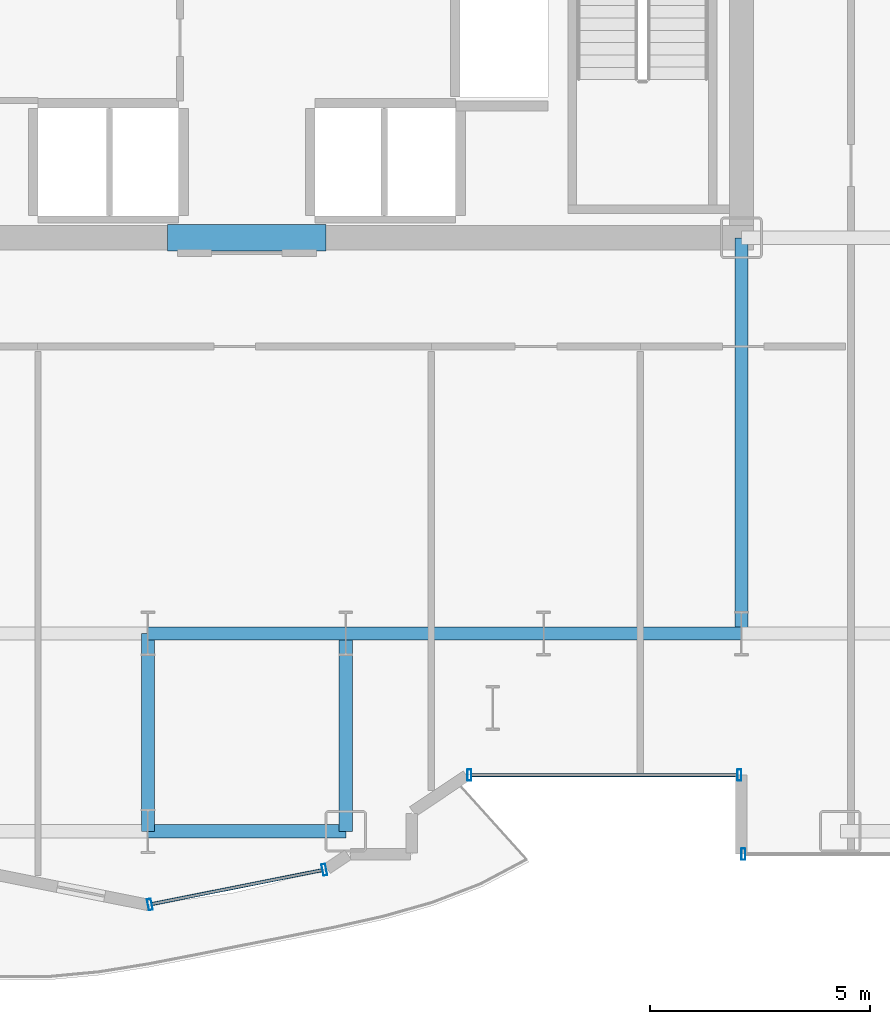
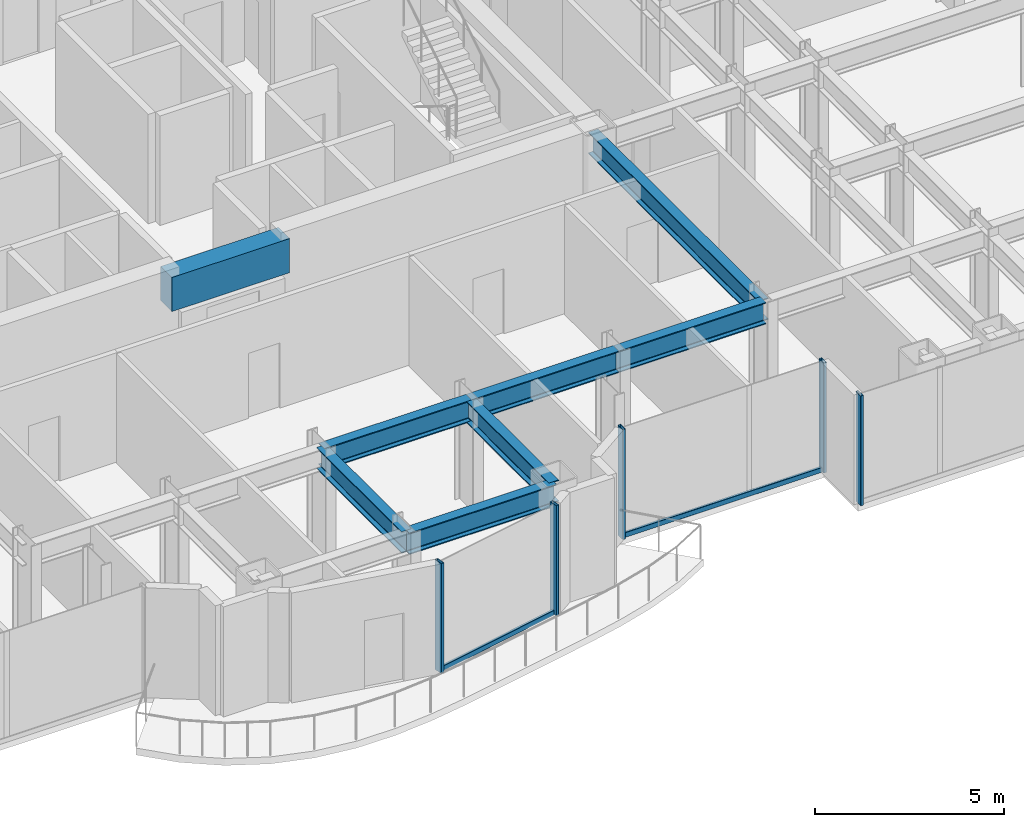
# One storey, part 8 of 28: 8 beams, 7 members, 3 elements without a shape of their own.
"""IFC4 building model written with IfcOpenShell, lengths in metres."""

from ifc_helpers import new_model, si_unit, direction, frame, origin, origin_2d, place, context, subcontext, project, spatial, rectangle, hollow_rectangle, i_section, extrude, source, transform, mapped, material, layer, layer_set, material_profile, profile_set, type_object, element, aggregate, save


model = new_model("IFC4")

# Units and contexts
model_context = context("Model", 3, precision=1e-05, world=origin(), true_north=direction((0.0, 1.0)))
body_context = subcontext(model_context, "Body", "Model", "MODEL_VIEW")
ifc_project = project(units=[si_unit("LENGTHUNIT", "METRE"), si_unit("AREAUNIT", "SQUARE_METRE"), si_unit("VOLUMEUNIT", "CUBIC_METRE"), si_unit("PLANEANGLEUNIT", "RADIAN"), si_unit("MASSUNIT", "GRAM", prefix="KILO")], contexts=[model_context])

# Site, building, storey
site_placement = place(None, origin())
site = spatial("IfcSite", under=ifc_project, at=site_placement, CompositionType="ELEMENT")
building_placement = place(site_placement, origin())
building = spatial("IfcBuilding", under=site, at=building_placement, Name="Nefas-Gora Pilgrimage Tower", CompositionType="ELEMENT")
storey_placement = place(building_placement, frame((0.0, 0.0, 102.199951171875)))
storey = spatial("IfcBuildingStorey", under=building, at=storey_placement, Name="L24", CompositionType="ELEMENT", Elevation=102.199951171875)

# Beams
ifc_material_1 = material(Name="Concrete C60/75", Category="concrete")
ifc_material_profile_1 = material_profile(ifc_material_1, rectangle(XDim=0.60009765625, YDim=1.10009765625, at=origin_2d()), Name="RC 600x1100")
ifc_profile_set_1 = profile_set([ifc_material_profile_1], Name="Concrete C60/75")
beam_type_1 = type_object("IfcBeamType", Name="BM-LIN-RC1100", PredefinedType="LINTEL", material=ifc_profile_set_1)
shared_shape_1 = source(origin(), body_context, "Body", "SweptSolid", [
    extrude(rectangle(XDim=0.60009765625, YDim=1.10009765625, at=origin_2d()), origin(), (0.0, 0.0, 1.0), 3.60009765625),
])
beam_1_placement = place(storey_placement, frame((-1.800048828125, -9.0, 3.0), z_axis=(1.0, 0.0, 0.0), x_axis=(0.0, 1.0, 0.0)))
element("IfcBeam", 1, at=beam_1_placement, inside=storey, type_object=beam_type_1, Name="L24 Core Coupling Lintel Beam S", PredefinedType="LINTEL", context=body_context, shape_type="MappedRepresentation", body=[
    mapped(shared_shape_1, transform((0.0, 0.0, 0.0), x_axis=(1.0, 0.0, 0.0), y_axis=(0.0, 1.0, 0.0), z_axis=(0.0, 0.0, 1.0), scale=1.0)),
])
ifc_material_2 = material(Name="Steel S355", Category="steel")
ifc_material_profile_2 = material_profile(ifc_material_2, i_section(OverallWidth=0.300048828125, OverallDepth=0.699951171875, WebThickness=0.01708984375, FlangeThickness=0.031982421875, FilletRadius=0.027099609375, at=origin_2d()), Name="HEB 700")
ifc_profile_set_2 = profile_set([ifc_material_profile_2], Name="Steel S355")
beam_type_2 = type_object("IfcBeamType", Name="BM-GIR-HEB700", PredefinedType="BEAM", material=ifc_profile_set_2)
shared_shape_2 = source(origin(), body_context, "Body", "SweptSolid", [
    extrude(i_section(OverallWidth=0.300048828125, OverallDepth=0.699951171875, WebThickness=0.01708984375, FlangeThickness=0.031982421875, FilletRadius=0.027099609375, at=origin_2d()), origin(), (0.0, 0.0, 1.0), 9.0),
])
beam_2_placement = place(storey_placement, frame((11.25, -18.0, 3.199951171875), z_axis=(0.0, 1.0, 0.0), x_axis=(-1.0, 0.0, 0.0)))
element("IfcBeam", 2, at=beam_2_placement, inside=storey, type_object=beam_type_2, Name="L24 G-02 beam", PredefinedType="BEAM", context=body_context, shape_type="MappedRepresentation", body=[
    mapped(shared_shape_2, transform((0.0, 0.0, 0.0), x_axis=(1.0, 0.0, 0.0), y_axis=(0.0, 1.0, 0.0), z_axis=(0.0, 0.0, 1.0), scale=1.0)),
])
shared_shape_3 = source(origin(), body_context, "Body", "SweptSolid", [
    extrude(i_section(OverallWidth=0.300048828125, OverallDepth=0.699951171875, WebThickness=0.01708984375, FlangeThickness=0.031982421875, FilletRadius=0.027099609375, at=origin_2d()), origin(), (0.0, 0.0, 1.0), 4.5),
])
for number, where, z_axis, x_axis, name in (
    (3, (-2.25, -22.5, 3.199951171875), (0.0, 1.0, 0.0), (-1.0, 0.0, 0.0), "L24 G-02 beam"),
    (4, (-2.25, -22.5, 3.199951171875), (1.0, 0.0, 0.0), (0.0, 1.0, 0.0), "L24 G-02 beam"),
    (5, (-2.25, -18.0, 3.199951171875), (1.0, 0.0, 0.0), (0.0, 1.0, 0.0), "L24 G-02 beam"),
    (6, (2.25, -22.5, 3.199951171875), (0.0, 1.0, 0.0), (-1.0, 0.0, 0.0), "L24 G-02 beam"),
    (7, (2.25, -18.0, 3.199951171875), (1.0, 0.0, 0.0), (0.0, 1.0, 0.0), "L24 G-02 beam"),
    (8, (6.75, -18.0, 3.199951171875), (1.0, 0.0, 0.0), (0.0, 1.0, 0.0), "L24 G-02 beam"),
):
    element("IfcBeam", number, at=place(storey_placement, frame(where, z_axis=z_axis, x_axis=x_axis)), inside=storey, type_object=beam_type_2, Name=name, PredefinedType="BEAM", context=body_context, shape_type="MappedRepresentation", body=[
        mapped(shared_shape_3, transform((0.0, 0.0, 0.0), x_axis=(1.0, 0.0, 0.0), y_axis=(0.0, 1.0, 0.0), z_axis=(0.0, 0.0, 1.0), scale=1.0)),
    ])

# Curtain wall, members
ifc_material_3 = material(Name="Dark ceramic-fritted solar-control aluminium-glass curtain wall", Category="aluminium")
ifc_layer_1 = layer(ifc_material_3, 0.219970703125)
ifc_layer_set_1 = layer_set([ifc_layer_1], Name="Dark ceramic-fritted solar-control aluminium-glass curtain wall")
curtain_wall_type_1 = type_object("IfcCurtainWallType", Name="CW-SYS-5", PredefinedType="NOTDEFINED", material=ifc_layer_set_1)
curtain_wall_1_placement = place(storey_placement, origin())
curtain_wall_1 = element("IfcCurtainWall", 9, at=curtain_wall_1_placement, inside=storey, type_object=curtain_wall_type_1, Name="L24 Unitised Curtain Wall CW5", PredefinedType="NOTDEFINED")
ifc_material_4 = material(Name="Anodised architectural aluminium", Category="aluminium")
ifc_material_profile_3 = material_profile(ifc_material_4, hollow_rectangle(XDim=0.090087890625, YDim=0.260009765625, WallThickness=0.006103515625, InnerFilletRadius=0.006103515625, OuterFilletRadius=0.011962890625, at=origin_2d()), Name="ALU MULLION 90x260")
ifc_profile_set_3 = profile_set([ifc_material_profile_3], Name="Anodised architectural aluminium")
member_type_1 = type_object("IfcMemberType", Name="CWM-MUL-5", PredefinedType="MULLION", material=ifc_profile_set_3)
shared_shape_4 = source(origin(), body_context, "Body", "SweptSolid", [
    extrude(hollow_rectangle(XDim=0.090087890625, YDim=0.260009765625, WallThickness=0.006103515625, InnerFilletRadius=0.006103515625, OuterFilletRadius=0.011962890625, at=origin_2d()), origin(), (0.0, 0.0, 1.0), 3.550048828125),
])
member_1_placement = place(storey_placement, frame((5.06298828125, -21.219970703125, 0.0), z_axis=(0.0, 0.0, 1.0), x_axis=(1.0, 0.0, 0.0)))
member_1 = element("IfcMember", 10, at=member_1_placement, type_object=member_type_1, Name="CW5 Mullion 1", PredefinedType="MULLION", context=body_context, shape_type="MappedRepresentation", body=[
    mapped(shared_shape_4, transform((0.0, 0.0, 0.0), x_axis=(1.0, 0.0, 0.0), y_axis=(0.0, 1.0, 0.0), z_axis=(0.0, 0.0, 1.0), scale=1.0)),
])
member_2_placement = place(storey_placement, frame((11.205078125, -21.219970703125, 0.0), z_axis=(0.0, 0.0, 1.0), x_axis=(1.0, 0.0, 0.0)))
member_2 = element("IfcMember", 11, at=member_2_placement, type_object=member_type_1, Name="CW5 Mullion 2", PredefinedType="MULLION", context=body_context, shape_type="MappedRepresentation", body=[
    mapped(shared_shape_4, transform((0.0, 0.0, 0.0), x_axis=(1.0, 0.0, 0.0), y_axis=(0.0, 1.0, 0.0), z_axis=(0.0, 0.0, 1.0), scale=1.0)),
])

curtain_wall_2_placement = place(storey_placement, origin())
curtain_wall_2 = element("IfcCurtainWall", 12, at=curtain_wall_2_placement, inside=storey, type_object=curtain_wall_type_1, Name="L24 Unitised Curtain Wall CW5", PredefinedType="NOTDEFINED")
member_3_placement = place(storey_placement, frame((-2.205810546875, -24.16357421875, 0.0), z_axis=(0.0, 0.0, 1.0), x_axis=(0.980782896852, 0.195102304554, 0.0)))
member_3 = element("IfcMember", 13, at=member_3_placement, type_object=member_type_1, Name="CW5 Mullion 1", PredefinedType="MULLION", context=body_context, shape_type="MappedRepresentation", body=[
    mapped(shared_shape_4, transform((0.0, 0.0, 0.0), x_axis=(1.0, 0.0, 0.0), y_axis=(0.0, 1.0, 0.0), z_axis=(0.0, 0.0, 1.0), scale=1.0)),
])
member_4_placement = place(storey_placement, frame((1.76318359375, -23.3740234375, 0.0), z_axis=(0.0, 0.0, 1.0), x_axis=(0.980782896852, 0.195102304554, 0.0)))
member_4 = element("IfcMember", 14, at=member_4_placement, type_object=member_type_1, Name="CW5 Mullion 2", PredefinedType="MULLION", context=body_context, shape_type="MappedRepresentation", body=[
    mapped(shared_shape_4, transform((0.0, 0.0, 0.0), x_axis=(1.0, 0.0, 0.0), y_axis=(0.0, 1.0, 0.0), z_axis=(0.0, 0.0, 1.0), scale=1.0)),
])

# Member
ifc_material_profile_4 = material_profile(ifc_material_4, hollow_rectangle(XDim=0.080078125, YDim=0.159912109375, WallThickness=0.00439453125, InnerFilletRadius=0.00439453125, OuterFilletRadius=0.009033203125, at=origin_2d()), Name="ALU TRANSOM 80x160")
ifc_profile_set_4 = profile_set([ifc_material_profile_4], Name="Anodised architectural aluminium")
member_type_2 = type_object("IfcMemberType", Name="CWM-TRN-5", PredefinedType="USERDEFINED", material=ifc_profile_set_4)
shared_shape_5 = source(origin(), body_context, "Body", "SweptSolid", [
    extrude(hollow_rectangle(XDim=0.080078125, YDim=0.159912109375, WallThickness=0.00439453125, InnerFilletRadius=0.00439453125, OuterFilletRadius=0.009033203125, at=origin_2d()), origin(), (0.0, 0.0, 1.0), 6.052001953125),
])
member_5_placement = place(storey_placement, frame((5.10791015625, -21.219970703125, 0.050048828125), z_axis=(1.0, 0.0, 0.0), x_axis=(0.0, 1.0, 0.0)))
member_5 = element("IfcMember", 15, at=member_5_placement, type_object=member_type_2, Name="CW5 Spandrel Transom", ObjectType="TRANSOM", PredefinedType="USERDEFINED", context=body_context, shape_type="MappedRepresentation", body=[
    mapped(shared_shape_5, transform((0.0, 0.0, 0.0), x_axis=(1.0, 0.0, 0.0), y_axis=(0.0, 1.0, 0.0), z_axis=(0.0, 0.0, 1.0), scale=1.0)),
])

aggregate(curtain_wall_1, [member_1, member_2, member_5])

# Curtain wall, member
ifc_layer_2 = layer(ifc_material_3, 0.219970703125)
ifc_layer_set_2 = layer_set([ifc_layer_2], Name="Dark ceramic-fritted solar-control aluminium-glass curtain wall")
curtain_wall_type_2 = type_object("IfcCurtainWallType", Name="CW-SYS-2", PredefinedType="NOTDEFINED", material=ifc_layer_set_2)
curtain_wall_3_placement = place(storey_placement, origin())
curtain_wall_3 = element("IfcCurtainWall", 16, at=curtain_wall_3_placement, inside=storey, type_object=curtain_wall_type_2, Name="L24 Unitised Curtain Wall CW2", PredefinedType="NOTDEFINED")
ifc_material_profile_5 = material_profile(ifc_material_4, hollow_rectangle(XDim=0.090087890625, YDim=0.260009765625, WallThickness=0.006103515625, InnerFilletRadius=0.006103515625, OuterFilletRadius=0.011962890625, at=origin_2d()), Name="ALU MULLION 90x260")
ifc_profile_set_5 = profile_set([ifc_material_profile_5], Name="Anodised architectural aluminium")
member_type_3 = type_object("IfcMemberType", Name="CWM-MUL-2", PredefinedType="MULLION", material=ifc_profile_set_5)
shared_shape_6 = source(origin(), body_context, "Body", "SweptSolid", [
    extrude(hollow_rectangle(XDim=0.090087890625, YDim=0.260009765625, WallThickness=0.006103515625, InnerFilletRadius=0.006103515625, OuterFilletRadius=0.011962890625, at=origin_2d()), origin(), (0.0, 0.0, 1.0), 3.550048828125),
])
member_6_placement = place(storey_placement, frame((11.294921875, -23.02001953125, 0.0), z_axis=(0.0, 0.0, 1.0), x_axis=(1.0, 0.0, 0.0)))
member_6 = element("IfcMember", 17, at=member_6_placement, type_object=member_type_3, Name="CW2 Mullion 1", PredefinedType="MULLION", context=body_context, shape_type="MappedRepresentation", body=[
    mapped(shared_shape_6, transform((0.0, 0.0, 0.0), x_axis=(1.0, 0.0, 0.0), y_axis=(0.0, 1.0, 0.0), z_axis=(0.0, 0.0, 1.0), scale=1.0)),
])
aggregate(curtain_wall_3, [member_6])

# Member
shared_shape_7 = source(origin(), body_context, "Body", "SweptSolid", [
    extrude(hollow_rectangle(XDim=0.080078125, YDim=0.159912109375, WallThickness=0.00439453125, InnerFilletRadius=0.00439453125, OuterFilletRadius=0.009033203125, at=origin_2d()), origin(), (0.0, 0.0, 1.0), 3.95654296875),
])
member_7_placement = place(storey_placement, frame((-2.16162109375, -24.15478515625, 0.050048828125), z_axis=(0.980781880918, 0.195107411605, 0.0), x_axis=(-0.195107411605, 0.980781880918, 0.0)))
member_7 = element("IfcMember", 18, at=member_7_placement, type_object=member_type_2, Name="CW5 Spandrel Transom", ObjectType="TRANSOM", PredefinedType="USERDEFINED", context=body_context, shape_type="MappedRepresentation", body=[
    mapped(shared_shape_7, transform((0.0, 0.0, 0.0), x_axis=(1.0, 0.0, 0.0), y_axis=(0.0, 1.0, 0.0), z_axis=(0.0, 0.0, 1.0), scale=1.0)),
])

aggregate(curtain_wall_2, [member_3, member_4, member_7])

save(model, "model.ifc")
